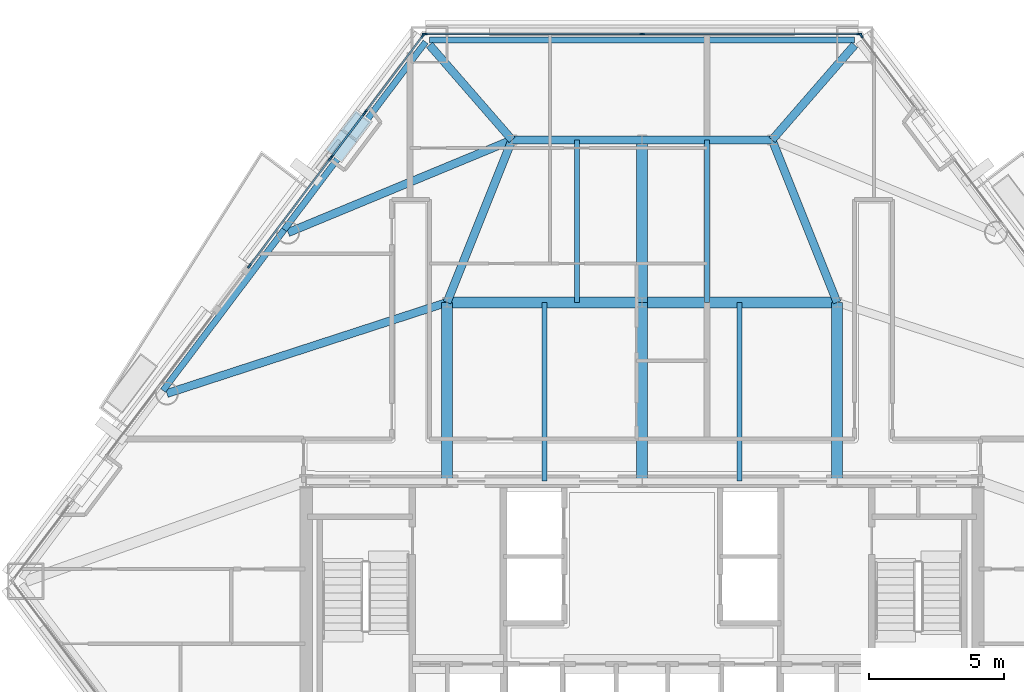
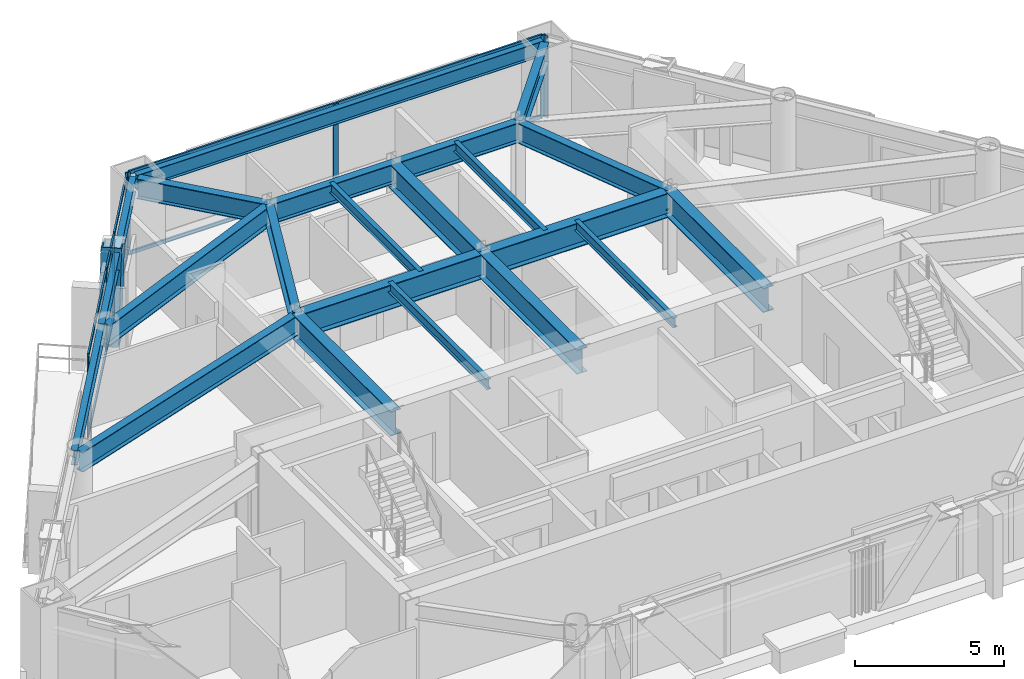
# One storey, part 3 of 11: 21 beams, 21 members, 5 elements without a shape of their own.
"""IFC4 building model written with IfcOpenShell, lengths in metres."""

from ifc_helpers import new_model, si_unit, direction, frame, origin, origin_2d, place, context, subcontext, project, spatial, rectangle, hollow_rectangle, i_section, extrude, material, layer, layer_set, material_profile, profile_set, type_object, element, aggregate, save


model = new_model("IFC4")

# Units and contexts
model_context = context("Model", 3, precision=1e-05, world=origin(), true_north=direction((0.0, 1.0)))
body_context = subcontext(model_context, "Body", "Model", "MODEL_VIEW")
ifc_project = project(units=[si_unit("LENGTHUNIT", "METRE"), si_unit("AREAUNIT", "SQUARE_METRE"), si_unit("VOLUMEUNIT", "CUBIC_METRE"), si_unit("PLANEANGLEUNIT", "RADIAN"), si_unit("MASSUNIT", "GRAM", prefix="KILO")], contexts=[model_context])

# Site, building, storey
site_placement = place(None, origin())
site = spatial("IfcSite", under=ifc_project, at=site_placement, CompositionType="ELEMENT")
building_placement = place(site_placement, origin())
building = spatial("IfcBuilding", under=site, at=building_placement, Name="Talgorran Terracotta Tower", CompositionType="ELEMENT")
storey_placement = place(building_placement, frame((0.0, 0.0, 42.300048828125)))
storey = spatial("IfcBuildingStorey", under=building, at=storey_placement, Name="L10", CompositionType="ELEMENT", Elevation=42.300048828125)

# Beams
ifc_material_1 = material(Name="Steel Grade 350 (350L0)", Category="steel")
ifc_material_profile_1 = material_profile(ifc_material_1, i_section(OverallWidth=0.39990234375, OverallDepth=1.0, WebThickness=0.01611328125, FlangeThickness=0.031005859375, at=origin_2d()), Name="1000WB296")
ifc_profile_set_1 = profile_set([ifc_material_profile_1], Name="Steel Grade 350 (350L0)")
beam_type_1 = type_object("IfcBeamType", Name="BM_1000WB296", PredefinedType="BEAM", material=ifc_profile_set_1)
for number, where, z_axis, x_axis, name in (
    (1, (-7.199951171875, -4.199951171875, 2.849853515625), (0.0, 1.0, 0.0), (-1.0, 0.0, 0.0), "L10 Floor Girder G01"),
    (2, (0.0, -4.199951171875, 2.849853515625), (0.0, 1.0, 0.0), (-1.0, 0.0, 0.0), "L10 Floor Girder G02"),
    (3, (7.199951171875, -4.199951171875, 2.849853515625), (0.0, 1.0, 0.0), (-1.0, 0.0, 0.0), "L10 Floor Girder G03"),
):
    element("IfcBeam", number, at=place(storey_placement, frame(where, z_axis=z_axis, x_axis=x_axis)), inside=storey, type_object=beam_type_1, Name=name, PredefinedType="BEAM", context=body_context, shape_type="SweptSolid", body=[
        extrude(i_section(OverallWidth=0.39990234375, OverallDepth=1.0, WebThickness=0.01611328125, FlangeThickness=0.031005859375, at=origin_2d()), origin(), (0.0, 0.0, 1.0), 6.599853515625),
    ])
for number, where, z_axis, x_axis, name in (
    (4, (-7.199951171875, 2.39990234375, 2.849853515625), (1.0, 0.0, 0.0), (0.0, 1.0, 0.0), "L10 Floor Girder G04"),
    (5, (0.0, 2.39990234375, 2.849853515625), (1.0, 0.0, 0.0), (0.0, 1.0, 0.0), "L10 Floor Girder G05"),
):
    element("IfcBeam", number, at=place(storey_placement, frame(where, z_axis=z_axis, x_axis=x_axis)), inside=storey, type_object=beam_type_1, Name=name, PredefinedType="BEAM", context=body_context, shape_type="SweptSolid", body=[
        extrude(i_section(OverallWidth=0.39990234375, OverallDepth=1.0, WebThickness=0.01611328125, FlangeThickness=0.031005859375, at=origin_2d()), origin(), (0.0, 0.0, 1.0), 7.199951171875),
    ])
beam_1_placement = place(storey_placement, frame((0.0, 2.39990234375, 2.849853515625), z_axis=(0.0, 1.0, 0.0), x_axis=(-1.0, 0.0, 0.0)))
element("IfcBeam", 6, at=beam_1_placement, inside=storey, type_object=beam_type_1, Name="L10 Floor Girder G09", PredefinedType="BEAM", context=body_context, shape_type="SweptSolid", body=[
    extrude(i_section(OverallWidth=0.39990234375, OverallDepth=1.0, WebThickness=0.01611328125, FlangeThickness=0.031005859375, at=origin_2d()), origin(), (0.0, 0.0, 1.0), 6.0),
])
ifc_material_2 = material(Name="Steel S355 (300PLUS)", Category="steel")
ifc_material_profile_2 = material_profile(ifc_material_2, i_section(OverallWidth=0.300048828125, OverallDepth=0.81591796875, WebThickness=0.013916015625, FlangeThickness=0.028076171875, at=origin_2d()), Name="800WB192")
ifc_profile_set_2 = profile_set([ifc_material_profile_2], Name="Steel S355 (300PLUS)")
beam_type_2 = type_object("IfcBeamType", Name="BM_800WB192", PredefinedType="BEAM", material=ifc_profile_set_2)
beam_2_placement = place(storey_placement, frame((-7.199951171875, 2.39990234375, 2.94189453125), z_axis=(-0.950964080861, -0.309301336746, 0.0), x_axis=(0.309301336746, -0.950964080861, 0.0)))
element("IfcBeam", 7, at=beam_2_placement, inside=storey, type_object=beam_type_2, Name="L10 Floor Girder G06", PredefinedType="BEAM", context=body_context, shape_type="SweptSolid", body=[
    extrude(i_section(OverallWidth=0.300048828125, OverallDepth=0.81591796875, WebThickness=0.013916015625, FlangeThickness=0.028076171875, at=origin_2d()), origin(), (0.0, 0.0, 1.0), 10.873046875),
])
for number, where, z_axis, x_axis, name in (
    (8, (-7.199951171875, 2.39990234375, 2.94189453125), (0.371377648723, 0.928481901832, 0.0), (-0.928481901832, 0.371377648723, 0.0), "L10 Floor Girder G08"),
    (9, (7.199951171875, 2.39990234375, 2.94189453125), (-0.371377648723, 0.928481901832, 0.0), (-0.928481901832, -0.371377648723, 0.0), "L10 Floor Girder G10"),
):
    element("IfcBeam", number, at=place(storey_placement, frame(where, z_axis=z_axis, x_axis=x_axis)), inside=storey, type_object=beam_type_2, Name=name, PredefinedType="BEAM", context=body_context, shape_type="SweptSolid", body=[
        extrude(i_section(OverallWidth=0.300048828125, OverallDepth=0.81591796875, WebThickness=0.013916015625, FlangeThickness=0.028076171875, at=origin_2d()), origin(), (0.0, 0.0, 1.0), 6.462158203125),
    ])
for number, where, z_axis, x_axis, name in (
    (10, (-4.800048828125, 8.39990234375, 2.94189453125), (1.0, 0.0, 0.0), (0.0, 1.0, 0.0), "L10 Floor Girder G11"),
    (11, (0.0, 8.39990234375, 2.94189453125), (1.0, 0.0, 0.0), (0.0, 1.0, 0.0), "L10 Floor Girder G12"),
):
    element("IfcBeam", number, at=place(storey_placement, frame(where, z_axis=z_axis, x_axis=x_axis)), inside=storey, type_object=beam_type_2, Name=name, PredefinedType="BEAM", context=body_context, shape_type="SweptSolid", body=[
        extrude(i_section(OverallWidth=0.300048828125, OverallDepth=0.81591796875, WebThickness=0.013916015625, FlangeThickness=0.028076171875, at=origin_2d()), origin(), (0.0, 0.0, 1.0), 4.800048828125),
    ])
beam_3_placement = place(storey_placement, frame((-4.800048828125, 8.39990234375, 2.94189453125), z_axis=(-0.923897446569, -0.382640181141, 0.0), x_axis=(0.382640181141, -0.923897446569, 0.0)))
element("IfcBeam", 12, at=beam_3_placement, inside=storey, type_object=beam_type_2, Name="L10 Floor Girder G13", PredefinedType="BEAM", context=body_context, shape_type="SweptSolid", body=[
    extrude(i_section(OverallWidth=0.300048828125, OverallDepth=0.81591796875, WebThickness=0.013916015625, FlangeThickness=0.028076171875, at=origin_2d()), origin(), (0.0, 0.0, 1.0), 8.947265625),
])
for number, where, z_axis, x_axis, name in (
    (13, (-4.800048828125, 8.39990234375, 2.94189453125), (-0.656030362772, 0.75473449843, 0.0), (-0.75473449843, -0.656030362772, 0.0), "L10 Floor Girder G15"),
    (14, (4.800048828125, 8.39990234375, 2.94189453125), (0.656030362772, 0.75473449843, 0.0), (-0.75473449843, 0.656030362772, 0.0), "L10 Floor Girder G16"),
):
    element("IfcBeam", number, at=place(storey_placement, frame(where, z_axis=z_axis, x_axis=x_axis)), inside=storey, type_object=beam_type_2, Name=name, PredefinedType="BEAM", context=body_context, shape_type="SweptSolid", body=[
        extrude(i_section(OverallWidth=0.300048828125, OverallDepth=0.81591796875, WebThickness=0.013916015625, FlangeThickness=0.028076171875, at=origin_2d()), origin(), (0.0, 0.0, 1.0), 4.645263671875),
    ])
ifc_material_profile_3 = material_profile(ifc_material_2, i_section(OverallWidth=0.177734375, OverallDepth=0.406494140625, WebThickness=0.0078125, FlangeThickness=0.0126953125, at=origin_2d()), Name="410UB59.7")
ifc_profile_set_3 = profile_set([ifc_material_profile_3], Name="Steel S355 (300PLUS)")
beam_type_3 = type_object("IfcBeamType", Name="BM_JS_410UB60", PredefinedType="JOIST", material=ifc_profile_set_3)
for number, where, z_axis, x_axis, name in (
    (15, (-3.60009765625, -4.199951171875, 3.146728515625), (0.0, 1.0, 0.0), (-1.0, 0.0, 0.0), "L10 Secondary Joist J01"),
    (16, (3.60009765625, -4.199951171875, 3.146728515625), (0.0, 1.0, 0.0), (-1.0, 0.0, 0.0), "L10 Secondary Joist J02"),
):
    element("IfcBeam", number, at=place(storey_placement, frame(where, z_axis=z_axis, x_axis=x_axis)), inside=storey, type_object=beam_type_3, Name=name, PredefinedType="JOIST", context=body_context, shape_type="SweptSolid", body=[
        extrude(i_section(OverallWidth=0.177734375, OverallDepth=0.406494140625, WebThickness=0.0078125, FlangeThickness=0.0126953125, at=origin_2d()), origin(), (0.0, 0.0, 1.0), 6.599853515625),
    ])
for number, where, z_axis, x_axis, name in (
    (17, (-2.39990234375, 2.39990234375, 3.146728515625), (0.0, 1.0, 0.0), (-1.0, 0.0, 0.0), "L10 Secondary Joist J03"),
    (18, (2.39990234375, 2.39990234375, 3.146728515625), (0.0, 1.0, 0.0), (-1.0, 0.0, 0.0), "L10 Secondary Joist J04"),
):
    element("IfcBeam", number, at=place(storey_placement, frame(where, z_axis=z_axis, x_axis=x_axis)), inside=storey, type_object=beam_type_3, Name=name, PredefinedType="JOIST", context=body_context, shape_type="SweptSolid", body=[
        extrude(i_section(OverallWidth=0.177734375, OverallDepth=0.406494140625, WebThickness=0.0078125, FlangeThickness=0.0126953125, at=origin_2d()), origin(), (0.0, 0.0, 1.0), 6.0),
    ])
ifc_material_profile_4 = material_profile(ifc_material_2, i_section(OverallWidth=0.22900390625, OverallDepth=0.611572265625, WebThickness=0.011962890625, FlangeThickness=0.01953125, at=origin_2d()), Name="610UB125")
ifc_profile_set_4 = profile_set([ifc_material_profile_4], Name="Steel S355 (300PLUS)")
beam_type_4 = type_object("IfcBeamType", Name="BM_SP_610UB125", PredefinedType="SPANDREL", material=ifc_profile_set_4)
beam_4_placement = place(storey_placement, frame((7.847412109375, 12.085693359375, 3.044189453125), z_axis=(-1.0, 0.0, 0.0), x_axis=(0.0, -1.0, 0.0)))
element("IfcBeam", 19, at=beam_4_placement, inside=storey, type_object=beam_type_4, Name="L10 Perimeter Spandrel Beam MC5-MC6", PredefinedType="SPANDREL", context=body_context, shape_type="SweptSolid", body=[
    extrude(i_section(OverallWidth=0.22900390625, OverallDepth=0.611572265625, WebThickness=0.011962890625, FlangeThickness=0.01953125, at=origin_2d()), origin(), (0.0, 0.0, 1.0), 15.69482421875),
])
beam_5_placement = place(storey_placement, frame((-7.9912109375, 12.013916015625, 3.044189453125), z_axis=(-0.601628840165, -0.798775774972, 0.0), x_axis=(0.798775774972, -0.601628840165, 0.0)))
element("IfcBeam", 20, at=beam_5_placement, inside=storey, type_object=beam_type_4, Name="L10 Perimeter Spandrel Beam MC6-FC5", PredefinedType="SPANDREL", context=body_context, shape_type="SweptSolid", body=[
    extrude(i_section(OverallWidth=0.22900390625, OverallDepth=0.611572265625, WebThickness=0.011962890625, FlangeThickness=0.01953125, at=origin_2d()), origin(), (0.0, 0.0, 1.0), 8.6748046875),
])
beam_6_placement = place(storey_placement, frame((-13.210205078125, 5.084716796875, 3.044189453125), z_axis=(-0.601616830796, -0.79878482015, 0.0), x_axis=(0.79878482015, -0.601616830796, 0.0)))
element("IfcBeam", 21, at=beam_6_placement, inside=storey, type_object=beam_type_4, Name="L10 Perimeter Spandrel Beam FC5-FC6", PredefinedType="SPANDREL", context=body_context, shape_type="SweptSolid", body=[
    extrude(i_section(OverallWidth=0.22900390625, OverallDepth=0.611572265625, WebThickness=0.011962890625, FlangeThickness=0.01953125, at=origin_2d()), origin(), (0.0, 0.0, 1.0), 7.435546875),
])

# Member
ifc_material_profile_5 = material_profile(ifc_material_1, hollow_rectangle(XDim=0.699951171875, YDim=0.89990234375, WallThickness=0.050048828125, at=origin_2d()), Name="WBOX900X700X50")
ifc_profile_set_5 = profile_set([ifc_material_profile_5], Name="Steel Grade 350 (350L0)")
member_type_1 = type_object("IfcMemberType", Name="MB_MEGA_900", PredefinedType="BRACE", material=ifc_profile_set_5)
member_1_placement = place(storey_placement, frame((-11.10888671875, 8.173583984375, -0.025146484375), z_axis=(0.159320244597, 0.211526878419, 0.964299455236), x_axis=(-0.798774681466, 0.601630291998, 0.0)))
element("IfcMember", 22, at=member_1_placement, inside=storey, type_object=member_type_1, Name="L10 Exterior Face Mega-Brace MB-1 (NWU)", PredefinedType="BRACE", context=body_context, shape_type="SweptSolid", body=[
    extrude(hollow_rectangle(XDim=0.699951171875, YDim=0.89990234375, WallThickness=0.050048828125, at=origin_2d()), origin(), (0.0, 0.0, 1.0), 3.526123046875),
])

# Curtain wall, member
ifc_material_3 = material(Name="Unitised Low-E Double Glazing", Category="glass")
ifc_layer = layer(ifc_material_3, 0.199951171875, Name="CW_SYS2_RES_LOW")
ifc_layer_set = layer_set([ifc_layer], Name="Unitised Low-E Double Glazing")
curtain_wall_type = type_object("IfcCurtainWallType", Name="CW_SYS2_RES_LOW", PredefinedType="NOTDEFINED", material=ifc_layer_set)
curtain_wall_1_placement = place(storey_placement, origin())
curtain_wall_1 = element("IfcCurtainWall", 23, at=curtain_wall_1_placement, inside=storey, type_object=curtain_wall_type, Name="CW-L10-F41C", PredefinedType="NOTDEFINED")
ifc_material_4 = material(Name="Architectural Aluminium 6063-T6", Category="aluminium")
ifc_material_profile_6 = material_profile(ifc_material_4, rectangle(XDim=0.06494140625, YDim=0.18505859375, at=origin_2d()), Name="CWM65X185")
ifc_profile_set_6 = profile_set([ifc_material_profile_6], Name="Architectural Aluminium 6063-T6")
member_type_2 = type_object("IfcMemberType", Name="MUL_65X185", PredefinedType="MULLION", material=ifc_profile_set_6)
member_2_placement = place(storey_placement, frame((8.090576171875, 12.247802734375, 0.0), z_axis=(0.0, 0.0, 1.0), x_axis=(-0.798774909943, -0.601629988652, 0.0)))
member_2 = element("IfcMember", 24, at=member_2_placement, type_object=member_type_2, Name="CW-L10-41C mullion 2", PredefinedType="MULLION", context=body_context, shape_type="SweptSolid", body=[
    extrude(rectangle(XDim=0.06494140625, YDim=0.18505859375, at=origin_2d()), origin(), (0.0, 0.0, 1.0), 3.349853515625),
])
aggregate(curtain_wall_1, [member_2])

# Curtain wall, members
curtain_wall_2_placement = place(storey_placement, origin())
curtain_wall_2 = element("IfcCurtainWall", 25, at=curtain_wall_2_placement, inside=storey, type_object=curtain_wall_type, Name="CW-L10-F4", PredefinedType="NOTDEFINED")
member_3_placement = place(storey_placement, frame((8.014404296875, 12.3056640625, 0.0), z_axis=(0.0, 0.0, 1.0), x_axis=(0.0, -1.0, 0.0)))
member_3 = element("IfcMember", 26, at=member_3_placement, type_object=member_type_2, Name="CW-L10-4 mullion 1", PredefinedType="MULLION", context=body_context, shape_type="SweptSolid", body=[
    extrude(rectangle(XDim=0.06494140625, YDim=0.18505859375, at=origin_2d()), origin(), (0.0, 0.0, 1.0), 3.349853515625),
])
member_4_placement = place(storey_placement, frame((0.0, 12.3056640625, 0.0), z_axis=(0.0, 0.0, 1.0), x_axis=(0.0, -1.0, 0.0)))
member_4 = element("IfcMember", 27, at=member_4_placement, type_object=member_type_2, Name="CW-L10-4 mullion 2", PredefinedType="MULLION", context=body_context, shape_type="SweptSolid", body=[
    extrude(rectangle(XDim=0.06494140625, YDim=0.18505859375, at=origin_2d()), origin(), (0.0, 0.0, 1.0), 3.349853515625),
])
member_5_placement = place(storey_placement, frame((-8.014404296875, 12.3056640625, 0.0), z_axis=(0.0, 0.0, 1.0), x_axis=(0.0, -1.0, 0.0)))
member_5 = element("IfcMember", 28, at=member_5_placement, type_object=member_type_2, Name="CW-L10-4 mullion 3", PredefinedType="MULLION", context=body_context, shape_type="SweptSolid", body=[
    extrude(rectangle(XDim=0.06494140625, YDim=0.18505859375, at=origin_2d()), origin(), (0.0, 0.0, 1.0), 3.349853515625),
])

curtain_wall_3_placement = place(storey_placement, origin())
curtain_wall_3 = element("IfcCurtainWall", 29, at=curtain_wall_3_placement, inside=storey, type_object=curtain_wall_type, Name="CW-L10-F60", PredefinedType="NOTDEFINED")
member_6_placement = place(storey_placement, frame((-8.090576171875, 12.247802734375, 0.0), z_axis=(0.0, 0.0, 1.0), x_axis=(0.798774909943, -0.601629988652, 0.0)))
member_6 = element("IfcMember", 30, at=member_6_placement, type_object=member_type_2, Name="CW-L10-60 mullion 1", PredefinedType="MULLION", context=body_context, shape_type="SweptSolid", body=[
    extrude(rectangle(XDim=0.06494140625, YDim=0.18505859375, at=origin_2d()), origin(), (0.0, 0.0, 1.0), 3.349853515625),
])
member_7_placement = place(storey_placement, frame((-10.205322265625, 9.43994140625, 0.0), z_axis=(0.0, 0.0, 1.0), x_axis=(0.798774909943, -0.601629988652, 0.0)))
member_7 = element("IfcMember", 31, at=member_7_placement, type_object=member_type_2, Name="CW-L10-60 mullion 2", PredefinedType="MULLION", context=body_context, shape_type="SweptSolid", body=[
    extrude(rectangle(XDim=0.06494140625, YDim=0.18505859375, at=origin_2d()), origin(), (0.0, 0.0, 1.0), 3.349853515625),
])

curtain_wall_4_placement = place(storey_placement, origin())
curtain_wall_4 = element("IfcCurtainWall", 32, at=curtain_wall_4_placement, inside=storey, type_object=curtain_wall_type, Name="CW-L10-F60B", PredefinedType="NOTDEFINED")
member_8_placement = place(storey_placement, frame((-10.25048828125, 9.380126953125, 0.0), z_axis=(0.0, 0.0, 1.0), x_axis=(0.798764806564, -0.601643402519, 0.0)))
member_8 = element("IfcMember", 33, at=member_8_placement, type_object=member_type_2, Name="CW-L10-60B mullion 1", PredefinedType="MULLION", context=body_context, shape_type="SweptSolid", body=[
    extrude(rectangle(XDim=0.06494140625, YDim=0.18505859375, at=origin_2d()), origin(), (0.0, 0.0, 1.0), 3.349853515625),
])
member_9_placement = place(storey_placement, frame((-11.4697265625, 7.76123046875, 0.0), z_axis=(0.0, 0.0, 1.0), x_axis=(0.798764806564, -0.601643402519, 0.0)))
member_9 = element("IfcMember", 34, at=member_9_placement, type_object=member_type_2, Name="CW-L10-60B mullion 2", PredefinedType="MULLION", context=body_context, shape_type="SweptSolid", body=[
    extrude(rectangle(XDim=0.06494140625, YDim=0.18505859375, at=origin_2d()), origin(), (0.0, 0.0, 1.0), 3.349853515625),
])

curtain_wall_5_placement = place(storey_placement, origin())
curtain_wall_5 = element("IfcCurtainWall", 35, at=curtain_wall_5_placement, inside=storey, type_object=curtain_wall_type, Name="CW-L10-F60C", PredefinedType="NOTDEFINED")
member_10_placement = place(storey_placement, frame((-11.514892578125, 7.701416015625, 0.0), z_axis=(0.0, 0.0, 1.0), x_axis=(0.798777984446, -0.601625906659, 0.0)))
member_10 = element("IfcMember", 36, at=member_10_placement, type_object=member_type_2, Name="CW-L10-60C mullion 1", PredefinedType="MULLION", context=body_context, shape_type="SweptSolid", body=[
    extrude(rectangle(XDim=0.06494140625, YDim=0.18505859375, at=origin_2d()), origin(), (0.0, 0.0, 1.0), 3.349853515625),
])
member_11_placement = place(storey_placement, frame((-14.492919921875, 3.74755859375, 0.0), z_axis=(0.0, 0.0, 1.0), x_axis=(0.798777984446, -0.601625906659, 0.0)))
member_11 = element("IfcMember", 37, at=member_11_placement, type_object=member_type_2, Name="CW-L10-60C mullion 2", PredefinedType="MULLION", context=body_context, shape_type="SweptSolid", body=[
    extrude(rectangle(XDim=0.06494140625, YDim=0.18505859375, at=origin_2d()), origin(), (0.0, 0.0, 1.0), 3.349853515625),
])

# Member
ifc_material_profile_7 = material_profile(ifc_material_4, rectangle(XDim=0.06494140625, YDim=0.14990234375, at=origin_2d()), Name="CWT65X150")
ifc_profile_set_7 = profile_set([ifc_material_profile_7], Name="Architectural Aluminium 6063-T6")
member_type_3 = type_object("IfcMemberType", Name="TRN_65X150", PredefinedType="USERDEFINED", material=ifc_profile_set_7)
member_12_placement = place(storey_placement, frame((7.98193359375, 12.3056640625, 0.032470703125), z_axis=(-1.0, 0.0, 0.0), x_axis=(0.0, -1.0, 0.0)))
member_12 = element("IfcMember", 38, at=member_12_placement, type_object=member_type_3, Name="CW-L10-4 transom 1.1", ObjectType="TRANSOM", PredefinedType="USERDEFINED", context=body_context, shape_type="SweptSolid", body=[
    extrude(rectangle(XDim=0.06494140625, YDim=0.14990234375, at=origin_2d()), origin(), (0.0, 0.0, 1.0), 7.949462890625),
])

member_13_placement = place(storey_placement, frame((7.98193359375, 12.3056640625, 3.3173828125), z_axis=(-1.0, 0.0, 0.0), x_axis=(0.0, -1.0, 0.0)))
member_13 = element("IfcMember", 39, at=member_13_placement, type_object=member_type_3, Name="CW-L10-4 transom 1.2", ObjectType="TRANSOM", PredefinedType="USERDEFINED", context=body_context, shape_type="SweptSolid", body=[
    extrude(rectangle(XDim=0.06494140625, YDim=0.14990234375, at=origin_2d()), origin(), (0.0, 0.0, 1.0), 7.949462890625),
])

member_14_placement = place(storey_placement, frame((-0.032470703125, 12.3056640625, 0.032470703125), z_axis=(-1.0, 0.0, 0.0), x_axis=(0.0, -1.0, 0.0)))
member_14 = element("IfcMember", 40, at=member_14_placement, type_object=member_type_3, Name="CW-L10-4 transom 2.1", ObjectType="TRANSOM", PredefinedType="USERDEFINED", context=body_context, shape_type="SweptSolid", body=[
    extrude(rectangle(XDim=0.06494140625, YDim=0.14990234375, at=origin_2d()), origin(), (0.0, 0.0, 1.0), 7.949462890625),
])

member_15_placement = place(storey_placement, frame((-0.032470703125, 12.3056640625, 3.3173828125), z_axis=(-1.0, 0.0, 0.0), x_axis=(0.0, -1.0, 0.0)))
member_15 = element("IfcMember", 41, at=member_15_placement, type_object=member_type_3, Name="CW-L10-4 transom 2.2", ObjectType="TRANSOM", PredefinedType="USERDEFINED", context=body_context, shape_type="SweptSolid", body=[
    extrude(rectangle(XDim=0.06494140625, YDim=0.14990234375, at=origin_2d()), origin(), (0.0, 0.0, 1.0), 7.949462890625),
])

aggregate(curtain_wall_2, [member_3, member_4, member_5, member_12, member_13, member_14, member_15])

member_16_placement = place(storey_placement, frame((-8.110107421875, 12.2216796875, 0.032470703125), z_axis=(-0.601629139235, -0.798775549716, 0.0), x_axis=(0.798775549716, -0.601629139235, 0.0)))
member_16 = element("IfcMember", 42, at=member_16_placement, type_object=member_type_3, Name="CW-L10-60 transom 1.1", ObjectType="TRANSOM", PredefinedType="USERDEFINED", context=body_context, shape_type="SweptSolid", body=[
    extrude(rectangle(XDim=0.06494140625, YDim=0.14990234375, at=origin_2d()), origin(), (0.0, 0.0, 1.0), 3.4501953125),
])

member_17_placement = place(storey_placement, frame((-8.110107421875, 12.2216796875, 3.3173828125), z_axis=(-0.601629139235, -0.798775549716, 0.0), x_axis=(0.798775549716, -0.601629139235, 0.0)))
member_17 = element("IfcMember", 43, at=member_17_placement, type_object=member_type_3, Name="CW-L10-60 transom 1.2", ObjectType="TRANSOM", PredefinedType="USERDEFINED", context=body_context, shape_type="SweptSolid", body=[
    extrude(rectangle(XDim=0.06494140625, YDim=0.14990234375, at=origin_2d()), origin(), (0.0, 0.0, 1.0), 3.4501953125),
])

aggregate(curtain_wall_3, [member_6, member_7, member_16, member_17])

member_18_placement = place(storey_placement, frame((-10.27001953125, 9.35400390625, 0.032470703125), z_axis=(-0.601631643648, -0.798773663412, 0.0), x_axis=(0.798773663412, -0.601631643648, 0.0)))
member_18 = element("IfcMember", 44, at=member_18_placement, type_object=member_type_3, Name="CW-L10-60B transom 1.1", ObjectType="TRANSOM", PredefinedType="USERDEFINED", context=body_context, shape_type="SweptSolid", body=[
    extrude(rectangle(XDim=0.06494140625, YDim=0.14990234375, at=origin_2d()), origin(), (0.0, 0.0, 1.0), 1.961669921875),
])

member_19_placement = place(storey_placement, frame((-10.27001953125, 9.35400390625, 3.3173828125), z_axis=(-0.601631643648, -0.798773663412, 0.0), x_axis=(0.798773663412, -0.601631643648, 0.0)))
member_19 = element("IfcMember", 45, at=member_19_placement, type_object=member_type_3, Name="CW-L10-60B transom 1.2", ObjectType="TRANSOM", PredefinedType="USERDEFINED", context=body_context, shape_type="SweptSolid", body=[
    extrude(rectangle(XDim=0.06494140625, YDim=0.14990234375, at=origin_2d()), origin(), (0.0, 0.0, 1.0), 1.961669921875),
])

aggregate(curtain_wall_4, [member_8, member_9, member_18, member_19])

member_20_placement = place(storey_placement, frame((-11.534423828125, 7.67529296875, 0.032470703125), z_axis=(-0.601646032631, -0.798762825512, 0.0), x_axis=(0.798762825512, -0.601646032631, 0.0)))
member_20 = element("IfcMember", 46, at=member_20_placement, type_object=member_type_3, Name="CW-L10-60C transom 1.1", ObjectType="TRANSOM", PredefinedType="USERDEFINED", context=body_context, shape_type="SweptSolid", body=[
    extrude(rectangle(XDim=0.06494140625, YDim=0.14990234375, at=origin_2d()), origin(), (0.0, 0.0, 1.0), 4.884765625),
])

member_21_placement = place(storey_placement, frame((-11.534423828125, 7.67529296875, 3.3173828125), z_axis=(-0.601646032631, -0.798762825512, 0.0), x_axis=(0.798762825512, -0.601646032631, 0.0)))
member_21 = element("IfcMember", 47, at=member_21_placement, type_object=member_type_3, Name="CW-L10-60C transom 1.2", ObjectType="TRANSOM", PredefinedType="USERDEFINED", context=body_context, shape_type="SweptSolid", body=[
    extrude(rectangle(XDim=0.06494140625, YDim=0.14990234375, at=origin_2d()), origin(), (0.0, 0.0, 1.0), 4.884765625),
])

aggregate(curtain_wall_5, [member_10, member_11, member_20, member_21])

save(model, "model.ifc")
